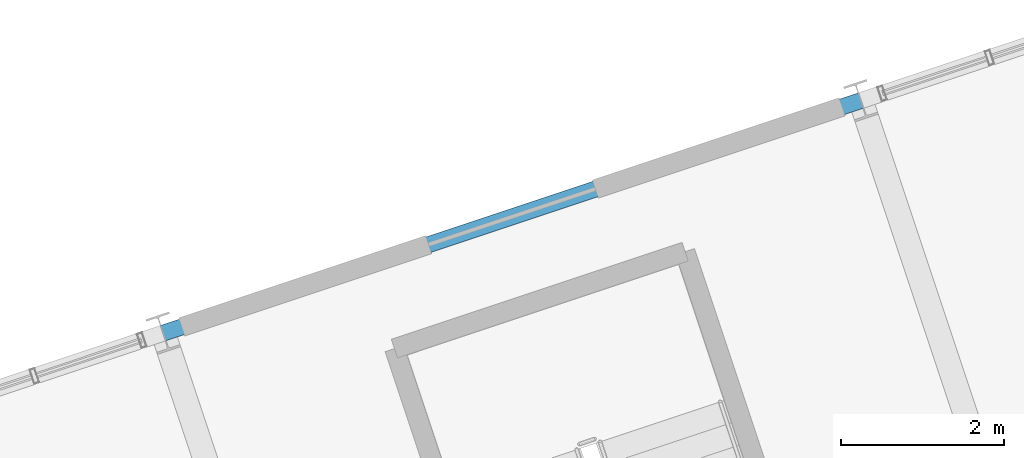
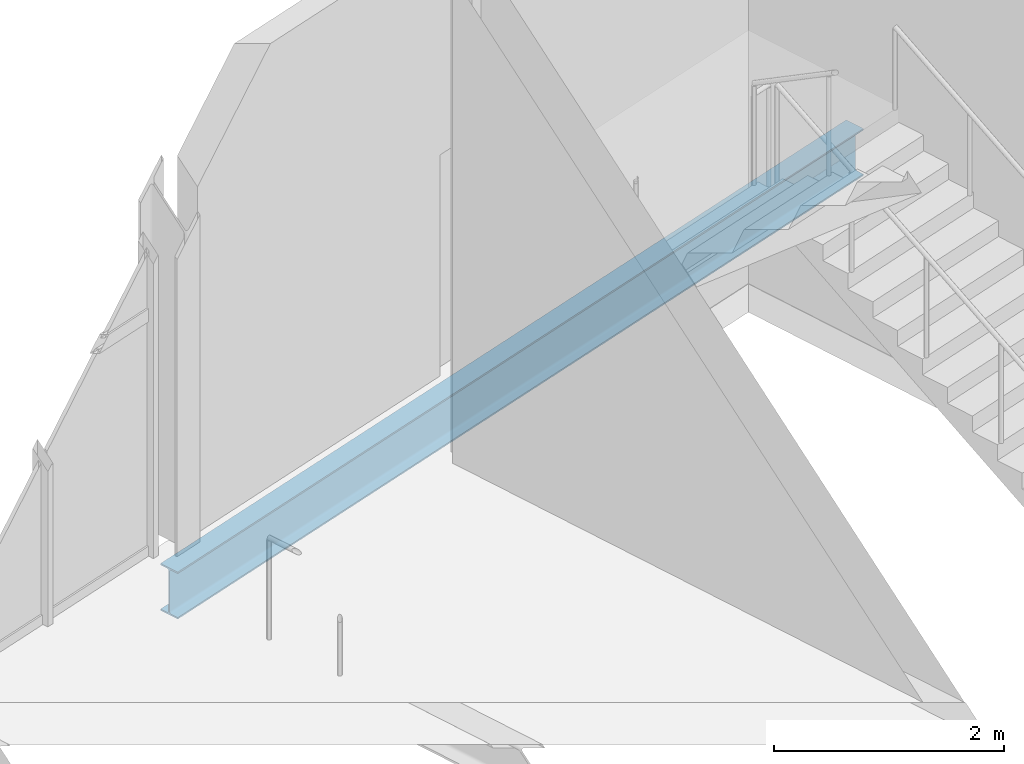
# One storey, part 53 of 158: 1 beam.
"""IFC4 building model written with IfcOpenShell, lengths in metres."""

from ifc_helpers import new_model, si_unit, derived_unit, direction, frame, origin, origin_2d, place, context, subcontext, project, spatial, i_section, extrude, material, material_profile, profile_set, type_object, element, save


model = new_model("IFC4")

# Units and contexts
model_context = context("Model", 3, precision=1e-05, world=origin(), true_north=direction((0.0, 1.0)))
body_context = subcontext(model_context, "Body", "Model", "MODEL_VIEW")
ifc_project = project(units=[si_unit("LENGTHUNIT", "METRE"), si_unit("AREAUNIT", "SQUARE_METRE"), si_unit("VOLUMEUNIT", "CUBIC_METRE"), si_unit("PLANEANGLEUNIT", "RADIAN"), si_unit("MASSUNIT", "GRAM", prefix="KILO"), si_unit("THERMODYNAMICTEMPERATUREUNIT", "KELVIN"), si_unit("TIMEUNIT", "SECOND"), derived_unit("THERMALTRANSMITTANCEUNIT", [(si_unit("MASSUNIT", "GRAM", prefix="KILO"), 1), (si_unit("THERMODYNAMICTEMPERATUREUNIT", "KELVIN"), -1), (si_unit("TIMEUNIT", "SECOND"), -3)])], contexts=[model_context])

# Site, building, storey
site_placement = place(None, origin())
site = spatial("IfcSite", under=ifc_project, at=site_placement, CompositionType="ELEMENT")
building_placement = place(site_placement, origin())
building = spatial("IfcBuilding", under=site, at=building_placement, Name="Cambertide Market Hall", CompositionType="ELEMENT")
storey_placement = place(building_placement, origin())
storey = spatial("IfcBuildingStorey", under=building, at=storey_placement, Name="L01", CompositionType="ELEMENT", Elevation=0.0)

# Beam
ifc_material = material(Name="Steel S355", Category="steel")
ifc_material_profile = material_profile(ifc_material, i_section(OverallWidth=0.199951171875, OverallDepth=0.5, WebThickness=0.01025390625, FlangeThickness=0.01611328125, FilletRadius=0.02099609375, at=origin_2d()), Name="IPE 500")
ifc_profile_set = profile_set([ifc_material_profile], Name="Steel S355")
beam_type = type_object("IfcBeamType", Name="Steel Girder IPE 500", PredefinedType="BEAM", material=ifc_profile_set)
beam_placement = place(storey_placement, frame((131.614501953125, 48.99853515625, -0.550048828125), z_axis=(0.948677872554, 0.31624404204, 0.0), x_axis=(-0.31624404204, 0.948677872554, 0.0)))
element("IfcBeam", 1, at=beam_placement, inside=storey, type_object=beam_type, Name="Level 1 Beam BM-V3U-L01-5-4", PredefinedType="BEAM", context=body_context, shape_type="SweptSolid", body=[
    extrude(i_section(OverallWidth=0.199951171875, OverallDepth=0.5, WebThickness=0.01025390625, FlangeThickness=0.01611328125, FilletRadius=0.02099609375, at=origin_2d()), origin(), (0.0, 0.0, 1.0), 9.0),
])

save(model, "model.ifc")
